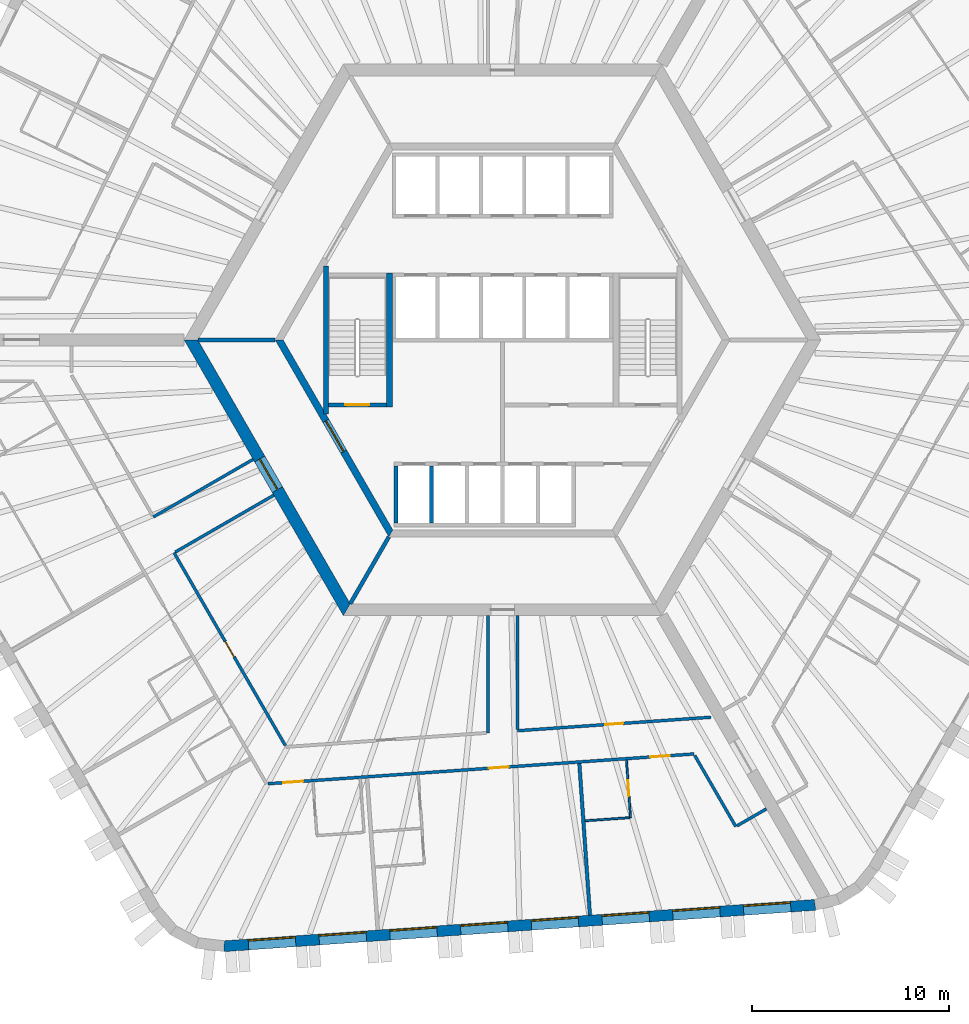
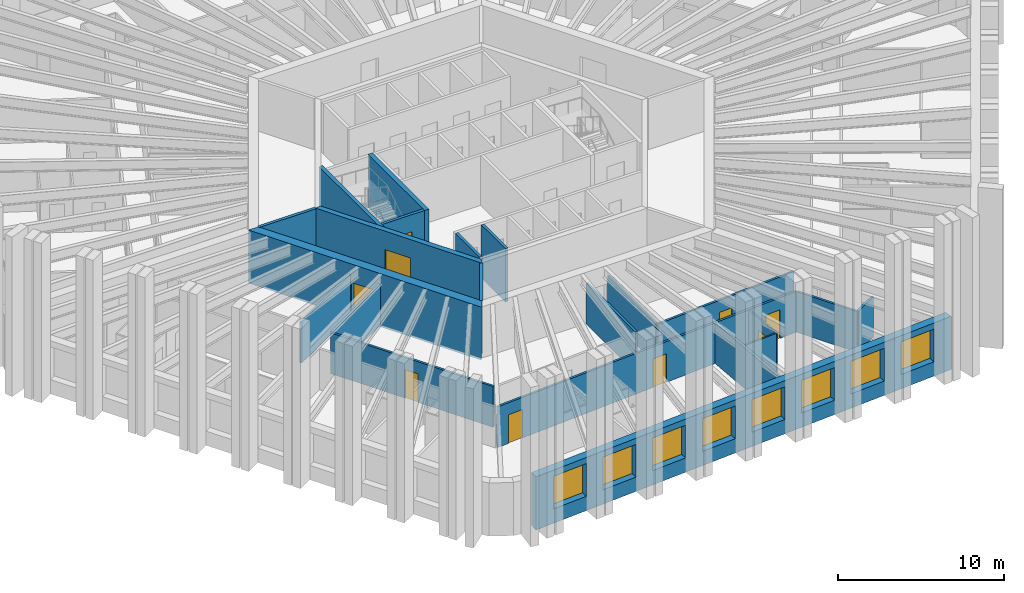
# One storey, part 4 of 13: 22 walls, 9 doors, 8 windows, 17 openings.
"""IFC4 building model written with IfcOpenShell, lengths in metres."""

from ifc_helpers import new_model, si_unit, direction, frame, frame_2d, origin, place, context, subcontext, project, spatial, polyline, rectangle, outline, extrude, material, layer, layer_set, type_object, element, fill, save


model = new_model("IFC4")

# Units and contexts
model_context = context("Model", 3, precision=1e-05, world=origin(), true_north=direction((0.0, 1.0)))
body_context = subcontext(model_context, "Body", "Model", "MODEL_VIEW")
ifc_project = project(units=[si_unit("LENGTHUNIT", "METRE"), si_unit("AREAUNIT", "SQUARE_METRE"), si_unit("VOLUMEUNIT", "CUBIC_METRE"), si_unit("PLANEANGLEUNIT", "RADIAN"), si_unit("MASSUNIT", "GRAM", prefix="KILO")], contexts=[model_context])

# Site, building, storey
site_placement = place(None, origin())
site = spatial("IfcSite", under=ifc_project, at=site_placement, CompositionType="ELEMENT")
building_placement = place(site_placement, origin())
building = spatial("IfcBuilding", under=site, at=building_placement, Name="Tarnside Tower", CompositionType="ELEMENT")
storey_placement = place(building_placement, frame((0.0, 0.0, 80.39990234375)))
storey = spatial("IfcBuildingStorey", under=building, at=storey_placement, Name="L17", CompositionType="ELEMENT", Elevation=80.39990234375)

# Wall, opening, door
ifc_material_1 = material(Name="Gypsum board partition on steel studs", Category="steel")
ifc_layer_1 = layer(ifc_material_1, 0.10009765625)
ifc_layer_set_1 = layer_set([ifc_layer_1], Name="Bathroom wall 100")
wall_type_1 = type_object("IfcWallType", Name="Bathroom wall 100", PredefinedType="PARTITIONING", material=ifc_layer_set_1)
wall_1_placement = place(storey_placement, frame((6.292724609375, -21.338134765625, 0.0), z_axis=(0.0, 0.0, 1.0), x_axis=(0.069781781132, -0.997562280272, 0.0)))
wall_1 = element("IfcWall", 1, at=wall_1_placement, inside=storey, type_object=wall_type_1, Name="Bathroom wall 05135", PredefinedType="PARTITIONING", context=body_context, shape_type="SweptSolid", body=[
    extrude(rectangle(XDim=2.9248046875, YDim=0.10009765625, at=frame_2d((1.46240234375, 0.0))), origin(), (0.0, 0.0, 1.0), 2.98779296875),
])
opening_1_placement = place(wall_1_placement, frame((1.02490234375, 0.0, 0.0)))
opening_1 = element("IfcOpeningElement", 2, at=opening_1_placement, cuts=wall_1, Name="Opening D-B1", PredefinedType="OPENING", context=body_context, shape_type="SweptSolid", body=[
    extrude(rectangle(XDim=0.800048828125, YDim=2.10009765625, at=frame_2d((0.39990234375, 1.050048828125))), frame((0.0, 0.06005859375, 0.0), z_axis=(0.0, -1.0, 0.0), x_axis=(1.0, 0.0, 0.0)), (0.0, 0.0, 1.0), 0.1201171875),
])
ifc_material_2 = material(Name="Timber door leaf", Category="wood")
door_type_1 = type_object("IfcDoorType", Name="Bathroom door 800", OperationType="NOTDEFINED", PredefinedType="DOOR", material=ifc_material_2)
door_1_placement = place(opening_1_placement, origin())
door_1 = element("IfcDoor", 3, at=door_1_placement, inside=storey, type_object=door_type_1, Name="Bathroom door 05029", OperationType="SINGLE_SWING_RIGHT", OverallHeight=2.10009765625, OverallWidth=0.800048828125, PredefinedType="DOOR", context=body_context, shape_type="SweptSolid", body=[
    extrude(rectangle(XDim=0.800048828125, YDim=2.10009765625, at=frame_2d((0.39990234375, 1.050048828125))), frame((0.0, 0.02490234375, 0.0), z_axis=(0.0, -1.0, 0.0), x_axis=(1.0, 0.0, 0.0)), (0.0, 0.0, 1.0), 0.050048828125),
])
fill(opening_1, door_1)

# Wall
wall_2_placement = place(storey_placement, frame((6.44677734375, -24.25927734375, 0.0), z_axis=(0.0, 0.0, 1.0), x_axis=(-0.997561825928, -0.069788275888, 0.0)))
element("IfcWall", 4, at=wall_2_placement, inside=storey, type_object=wall_type_1, Name="Bathroom wall 05136", PredefinedType="PARTITIONING", context=body_context, shape_type="SweptSolid", body=[
    extrude(rectangle(XDim=2.260009765625, YDim=0.10009765625, at=frame_2d((1.1298828125, 0.0))), origin(), (0.0, 0.0, 1.0), 2.98779296875),
])

# Wall, opening, door
ifc_material_3 = material(Name="Concrete C50/60", Category="concrete")
ifc_layer_2 = layer(ifc_material_3, 0.35009765625)
ifc_layer_set_2 = layer_set([ifc_layer_2], Name="Core block wall 350 C50/60")
wall_type_2 = type_object("IfcWallType", Name="Core block wall 350 C50/60", PredefinedType="SHEAR", material=ifc_layer_set_2)
wall_3_placement = place(storey_placement, frame((-11.344970703125, 0.0, -0.14990234375), z_axis=(0.0, 0.0, 1.0), x_axis=(0.499995046907, -0.866028263435, 0.0)))
wall_3 = element("IfcWall", 5, at=wall_3_placement, inside=storey, type_object=wall_type_2, Name="L17 core block wall face 3", PredefinedType="SHEAR", context=body_context, shape_type="SweptSolid", body=[
    extrude(outline(polyline([(-0.10107421875, -0.175048828125), (11.44580078125, -0.175048828125), (11.24365234375, 0.175048828125), (0.10107421875, 0.175048828125), (-0.10107421875, -0.175048828125)])), origin(), (0.0, 0.0, 1.0), 3.89990234375),
])
opening_2_placement = place(wall_3_placement, frame((4.74365234375, 0.0, 0.14990234375)))
opening_2 = element("IfcOpeningElement", 6, at=opening_2_placement, cuts=wall_3, Name="Opening CD-FFL", PredefinedType="OPENING", context=body_context, shape_type="SweptSolid", body=[
    extrude(rectangle(XDim=1.800048828125, YDim=2.39990234375, at=frame_2d((0.89990234375, 1.199951171875))), frame((0.0, 0.18505859375, 0.0), z_axis=(0.0, -1.0, 0.0), x_axis=(1.0, 0.0, 0.0)), (0.0, 0.0, 1.0), 0.3701171875),
])
ifc_material_4 = material(Name="Steel fire door", Category="steel")
door_type_2 = type_object("IfcDoorType", Name="Firefighting lobby double door FD60S 1800x2400", OperationType="NOTDEFINED", PredefinedType="DOOR", material=ifc_material_4)
door_2_placement = place(opening_2_placement, origin())
door_2 = element("IfcDoor", 7, at=door_2_placement, inside=storey, type_object=door_type_2, Name="L17 lobby block door P3", OperationType="DOUBLE_DOOR_SINGLE_SWING", OverallHeight=2.39990234375, OverallWidth=1.800048828125, PredefinedType="DOOR", context=body_context, shape_type="SweptSolid", body=[
    extrude(rectangle(XDim=1.800048828125, YDim=2.39990234375, at=frame_2d((0.89990234375, 1.199951171875))), frame((0.0, 0.02490234375, 0.0), z_axis=(0.0, -1.0, 0.0), x_axis=(1.0, 0.0, 0.0)), (0.0, 0.0, 1.0), 0.050048828125),
])
fill(opening_2, door_2)

ifc_material_5 = material(Name="Concrete C80/95", Category="concrete")
ifc_layer_3 = layer(ifc_material_5, 0.60009765625)
ifc_layer_set_3 = layer_set([ifc_layer_3], Name="Core wall Z1 600 C80/95")
wall_type_3 = type_object("IfcWallType", Name="Core wall Z1 600 C80/95", PredefinedType="SHEAR", material=ifc_layer_set_3)
wall_4_placement = place(storey_placement, frame((-15.8193359375, 0.0, -0.14990234375), z_axis=(0.0, 0.0, 1.0), x_axis=(0.499999880136, -0.866025472988, 0.0)))
wall_4 = element("IfcWall", 8, at=wall_4_placement, inside=storey, type_object=wall_type_3, Name="L17 core wall face 3", PredefinedType="SHEAR", context=body_context, shape_type="SweptSolid", body=[
    extrude(outline(polyline([(-0.17333984375, -0.300048828125), (15.99267578125, -0.300048828125), (15.64599609375, 0.300048828125), (0.17333984375, 0.300048828125), (-0.17333984375, -0.300048828125)])), origin(), (0.0, 0.0, 1.0), 3.89990234375),
])
opening_3_placement = place(wall_4_placement, frame((6.980712890625, 0.0, 0.14990234375)))
opening_3 = element("IfcOpeningElement", 9, at=opening_3_placement, cuts=wall_4, Name="Opening CD-FFL", PredefinedType="OPENING", context=body_context, shape_type="SweptSolid", body=[
    extrude(rectangle(XDim=1.800048828125, YDim=2.39990234375, at=frame_2d((0.89990234375, 1.199951171875))), frame((0.0, 0.31005859375, 0.0), z_axis=(0.0, -1.0, 0.0), x_axis=(1.0, 0.0, 0.0)), (0.0, 0.0, 1.0), 0.6201171875),
])
door_3_placement = place(opening_3_placement, origin())
door_3 = element("IfcDoor", 10, at=door_3_placement, inside=storey, type_object=door_type_2, Name="L17 core door P3", OperationType="DOUBLE_DOOR_SINGLE_SWING", OverallHeight=2.39990234375, OverallWidth=1.800048828125, PredefinedType="DOOR", context=body_context, shape_type="SweptSolid", body=[
    extrude(rectangle(XDim=1.800048828125, YDim=2.39990234375, at=frame_2d((0.89990234375, 1.199951171875))), frame((0.0, 0.02490234375, 0.0), z_axis=(0.0, -1.0, 0.0), x_axis=(1.0, 0.0, 0.0)), (0.0, 0.0, 1.0), 0.050048828125),
])
fill(opening_3, door_3)

# Wall, openings, doors
ifc_layer_4 = layer(ifc_material_1, 0.14990234375)
ifc_layer_set_4 = layer_set([ifc_layer_4], Name="Corridor wall 150 EI 60")
wall_type_4 = type_object("IfcWallType", Name="Corridor wall 150 EI 60", PredefinedType="PARTITIONING", material=ifc_layer_set_4)
wall_5_placement = place(storey_placement, frame((-11.902099609375, -22.53515625, 0.0), z_axis=(0.0, 0.0, 1.0), x_axis=(0.997564081796, 0.069756022752, 0.0)))
wall_5 = element("IfcWall", 11, at=wall_5_placement, inside=storey, type_object=wall_type_4, Name="Corridor wall 05036", PredefinedType="PARTITIONING", context=body_context, shape_type="SweptSolid", body=[
    extrude(rectangle(XDim=21.66796875, YDim=0.14990234375, at=frame_2d((10.833984375, 0.0))), origin(), (0.0, 0.0, 1.0), 2.98779296875),
])
opening_4_placement = place(wall_5_placement, frame((0.775146484375, 0.0, 0.0)))
opening_4 = element("IfcOpeningElement", 12, at=opening_4_placement, cuts=wall_5, Name="Opening D-E1", PredefinedType="OPENING", context=body_context, shape_type="SweptSolid", body=[
    extrude(rectangle(XDim=1.0, YDim=2.10009765625, at=frame_2d((0.5, 1.050048828125))), frame((0.0, 0.0849609375, 0.0), z_axis=(0.0, -1.0, 0.0), x_axis=(1.0, 0.0, 0.0)), (0.0, 0.0, 1.0), 0.169921875),
])
opening_5_placement = place(wall_5_placement, frame((11.23388671875, 0.0, 0.0)))
opening_5 = element("IfcOpeningElement", 13, at=opening_5_placement, cuts=wall_5, Name="Opening D-E1", PredefinedType="OPENING", context=body_context, shape_type="SweptSolid", body=[
    extrude(rectangle(XDim=1.0, YDim=2.10009765625, at=frame_2d((0.5, 1.050048828125))), frame((0.0, 0.0849609375, 0.0), z_axis=(0.0, -1.0, 0.0), x_axis=(1.0, 0.0, 0.0)), (0.0, 0.0, 1.0), 0.169921875),
])
opening_6_placement = place(wall_5_placement, frame((19.450927734375, 0.0, 0.0)))
opening_6 = element("IfcOpeningElement", 14, at=opening_6_placement, cuts=wall_5, Name="Opening D-E1", PredefinedType="OPENING", context=body_context, shape_type="SweptSolid", body=[
    extrude(rectangle(XDim=1.0, YDim=2.10009765625, at=frame_2d((0.5, 1.050048828125))), frame((0.0, 0.0849609375, 0.0), z_axis=(0.0, -1.0, 0.0), x_axis=(1.0, 0.0, 0.0)), (0.0, 0.0, 1.0), 0.169921875),
])
door_type_3 = type_object("IfcDoorType", Name="Unit entrance door 1000 FD30S", OperationType="NOTDEFINED", PredefinedType="DOOR", material=ifc_material_2)
door_4_placement = place(opening_4_placement, origin())
door_4 = element("IfcDoor", 15, at=door_4_placement, inside=storey, type_object=door_type_3, Name="Unit door 05023", OperationType="SINGLE_SWING_RIGHT", OverallHeight=2.10009765625, OverallWidth=1.0, PredefinedType="DOOR", context=body_context, shape_type="SweptSolid", body=[
    extrude(rectangle(XDim=1.0, YDim=2.10009765625, at=frame_2d((0.5, 1.050048828125))), frame((0.0, 0.02490234375, 0.0), z_axis=(0.0, -1.0, 0.0), x_axis=(1.0, 0.0, 0.0)), (0.0, 0.0, 1.0), 0.050048828125),
])
fill(opening_4, door_4)
door_5_placement = place(opening_5_placement, origin())
door_5 = element("IfcDoor", 16, at=door_5_placement, inside=storey, type_object=door_type_3, Name="Unit door 05025", OperationType="SINGLE_SWING_LEFT", OverallHeight=2.10009765625, OverallWidth=1.0, PredefinedType="DOOR", context=body_context, shape_type="SweptSolid", body=[
    extrude(rectangle(XDim=1.0, YDim=2.10009765625, at=frame_2d((0.5, 1.050048828125))), frame((0.0, 0.02490234375, 0.0), z_axis=(0.0, -1.0, 0.0), x_axis=(1.0, 0.0, 0.0)), (0.0, 0.0, 1.0), 0.050048828125),
])
fill(opening_5, door_5)
door_6_placement = place(opening_6_placement, origin())
door_6 = element("IfcDoor", 17, at=door_6_placement, inside=storey, type_object=door_type_3, Name="Unit door 05028", OperationType="SINGLE_SWING_LEFT", OverallHeight=2.10009765625, OverallWidth=1.0, PredefinedType="DOOR", context=body_context, shape_type="SweptSolid", body=[
    extrude(rectangle(XDim=1.0, YDim=2.10009765625, at=frame_2d((0.5, 1.050048828125))), frame((0.0, 0.02490234375, 0.0), z_axis=(0.0, -1.0, 0.0), x_axis=(1.0, 0.0, 0.0)), (0.0, 0.0, 1.0), 0.050048828125),
])
fill(opening_6, door_6)

# Walls
wall_6_placement = place(storey_placement, frame((9.7548828125, -21.095947265625, 0.0), z_axis=(0.0, 0.0, 1.0), x_axis=(0.499995902753, -0.866027769318, 0.0)))
element("IfcWall", 18, at=wall_6_placement, inside=storey, type_object=wall_type_4, Name="Corridor wall 05042", PredefinedType="PARTITIONING", context=body_context, shape_type="SweptSolid", body=[
    extrude(rectangle(XDim=4.17333984375, YDim=0.14990234375, at=frame_2d((2.086669921875, 0.0))), origin(), (0.0, 0.0, 1.0), 2.98779296875),
])
wall_7_placement = place(storey_placement, frame((11.906494140625, -24.672607421875, 0.0), z_axis=(0.0, 0.0, 1.0), x_axis=(0.866013532718, 0.500020560727, 0.0)))
element("IfcWall", 19, at=wall_7_placement, inside=storey, type_object=wall_type_4, Name="Corridor wall 05043", PredefinedType="PARTITIONING", context=body_context, shape_type="SweptSolid", body=[
    extrude(rectangle(XDim=1.72509765625, YDim=0.14990234375, at=frame_2d((0.862548828125, 0.0))), origin(), (0.0, 0.0, 1.0), 2.98779296875),
])
wall_8_placement = place(storey_placement, frame((-12.663818359375, -6.065673828125, 0.0), z_axis=(0.0, 0.0, 1.0), x_axis=(-0.866018092707, -0.500012662943, 0.0)))
element("IfcWall", 20, at=wall_8_placement, inside=storey, type_object=wall_type_4, Name="Corridor wall 05045", PredefinedType="PARTITIONING", context=body_context, shape_type="SweptSolid", body=[
    extrude(rectangle(XDim=5.849853515625, YDim=0.14990234375, at=frame_2d((2.9248046875, 0.0))), origin(), (0.0, 0.0, 1.0), 2.98779296875),
])
wall_9_placement = place(storey_placement, frame((-0.75, -14.0, 0.0), z_axis=(0.0, 0.0, 1.0), x_axis=(0.0, -1.0, 0.0)))
element("IfcWall", 21, at=wall_9_placement, inside=storey, type_object=wall_type_4, Name="Corridor wall 05048", PredefinedType="PARTITIONING", context=body_context, shape_type="SweptSolid", body=[
    extrude(rectangle(XDim=5.950927734375, YDim=0.14990234375, at=frame_2d((2.9755859375, 0.0))), origin(), (0.0, 0.0, 1.0), 2.98779296875),
])

# Wall, opening, door
wall_10_placement = place(storey_placement, frame((-11.030517578125, -20.5947265625, 0.0), z_axis=(0.0, 0.0, 1.0), x_axis=(-0.499987422378, 0.866032665356, 0.0)))
wall_10 = element("IfcWall", 22, at=wall_10_placement, inside=storey, type_object=wall_type_4, Name="Corridor wall 05051", PredefinedType="PARTITIONING", context=body_context, shape_type="SweptSolid", body=[
    extrude(rectangle(XDim=11.299072265625, YDim=0.14990234375, at=frame_2d((5.6494140625, 0.0))), origin(), (0.0, 0.0, 1.0), 2.98779296875),
])
opening_7_placement = place(wall_10_placement, frame((5.199462890625, 0.0, 0.0)))
opening_7 = element("IfcOpeningElement", 23, at=opening_7_placement, cuts=wall_10, Name="Opening D-S1", PredefinedType="OPENING", context=body_context, shape_type="SweptSolid", body=[
    extrude(rectangle(XDim=0.89990234375, YDim=2.10009765625, at=frame_2d((0.449951171875, 1.050048828125))), frame((0.0, 0.0849609375, 0.0), z_axis=(0.0, -1.0, 0.0), x_axis=(1.0, 0.0, 0.0)), (0.0, 0.0, 1.0), 0.169921875),
])
door_type_4 = type_object("IfcDoorType", Name="Service room door 900 FD30S", OperationType="NOTDEFINED", PredefinedType="DOOR", material=ifc_material_2)
door_7_placement = place(opening_7_placement, origin())
door_7 = element("IfcDoor", 24, at=door_7_placement, inside=storey, type_object=door_type_4, Name="Service door 05047", OperationType="SINGLE_SWING_RIGHT", OverallHeight=2.10009765625, OverallWidth=0.89990234375, PredefinedType="DOOR", context=body_context, shape_type="SweptSolid", body=[
    extrude(rectangle(XDim=0.89990234375, YDim=2.10009765625, at=frame_2d((0.449951171875, 1.050048828125))), frame((0.0, 0.02490234375, 0.0), z_axis=(0.0, -1.0, 0.0), x_axis=(1.0, 0.0, 0.0)), (0.0, 0.0, 1.0), 0.050048828125),
])
fill(opening_7, door_7)

# Wall
wall_11_placement = place(storey_placement, frame((-16.614990234375, -10.771728515625, 0.0), z_axis=(0.0, 0.0, 1.0), x_axis=(0.866025774745, 0.499999357477, 0.0)))
element("IfcWall", 25, at=wall_11_placement, inside=storey, type_object=wall_type_4, Name="Corridor wall 05052", PredefinedType="PARTITIONING", context=body_context, shape_type="SweptSolid", body=[
    extrude(rectangle(XDim=5.77490234375, YDim=0.14990234375, at=frame_2d((2.887451171875, 0.0))), origin(), (0.0, 0.0, 1.0), 2.98779296875),
])

# Wall, opening, door
wall_12_placement = place(storey_placement, frame((10.58740234375, -19.158203125, 0.0), z_axis=(0.0, 0.0, 1.0), x_axis=(-0.997565137136, -0.069740928955, 0.0)))
wall_12 = element("IfcWall", 26, at=wall_12_placement, inside=storey, type_object=wall_type_4, Name="Corridor wall 05053", PredefinedType="PARTITIONING", context=body_context, shape_type="SweptSolid", body=[
    extrude(rectangle(XDim=9.861328125, YDim=0.14990234375, at=frame_2d((4.9306640625, 0.0))), origin(), (0.0, 0.0, 1.0), 2.98779296875),
])
opening_8_placement = place(wall_12_placement, frame((4.480712890625, 0.0, 0.0)))
opening_8 = element("IfcOpeningElement", 27, at=opening_8_placement, cuts=wall_12, Name="Opening D-S1", PredefinedType="OPENING", context=body_context, shape_type="SweptSolid", body=[
    extrude(rectangle(XDim=0.89990234375, YDim=2.10009765625, at=frame_2d((0.449951171875, 1.050048828125))), frame((0.0, 0.0849609375, 0.0), z_axis=(0.0, -1.0, 0.0), x_axis=(1.0, 0.0, 0.0)), (0.0, 0.0, 1.0), 0.169921875),
])
door_8_placement = place(opening_8_placement, origin())
door_8 = element("IfcDoor", 28, at=door_8_placement, inside=storey, type_object=door_type_4, Name="Service door 05048", OperationType="SINGLE_SWING_RIGHT", OverallHeight=2.10009765625, OverallWidth=0.89990234375, PredefinedType="DOOR", context=body_context, shape_type="SweptSolid", body=[
    extrude(rectangle(XDim=0.89990234375, YDim=2.10009765625, at=frame_2d((0.449951171875, 1.050048828125))), frame((0.0, 0.02490234375, 0.0), z_axis=(0.0, -1.0, 0.0), x_axis=(1.0, 0.0, 0.0)), (0.0, 0.0, 1.0), 0.050048828125),
])
fill(opening_8, door_8)

# Walls
wall_13_placement = place(storey_placement, frame((0.75, -19.770751953125, 0.0), z_axis=(0.0, 0.0, 1.0), x_axis=(0.0, 1.0, 0.0)))
element("IfcWall", 29, at=wall_13_placement, inside=storey, type_object=wall_type_4, Name="Corridor wall 05054", PredefinedType="PARTITIONING", context=body_context, shape_type="SweptSolid", body=[
    extrude(rectangle(XDim=5.770751953125, YDim=0.14990234375, at=frame_2d((2.88525390625, 0.0))), origin(), (0.0, 0.0, 1.0), 2.98779296875),
])
ifc_layer_5 = layer(ifc_material_1, 0.179931640625)
ifc_layer_set_5 = layer_set([ifc_layer_5], Name="Demising wall 180 EI 60")
wall_type_5 = type_object("IfcWallType", Name="Demising wall 180 EI 60", PredefinedType="PARTITIONING", material=ifc_layer_set_5)
wall_14_placement = place(storey_placement, frame((4.4375, -29.211669921875, 0.0), z_axis=(0.0, 0.0, 1.0), x_axis=(-0.069780381152, 0.997562378203, 0.0)))
element("IfcWall", 30, at=wall_14_placement, inside=storey, type_object=wall_type_5, Name="Demising wall 05132", PredefinedType="PARTITIONING", context=body_context, shape_type="SweptSolid", body=[
    extrude(rectangle(XDim=7.72509765625, YDim=0.179931640625, at=frame_2d((3.862548828125, 0.0))), origin(), (0.0, 0.0, 1.0), 2.98779296875),
])
ifc_material_6 = material(Name="Concrete C40/50", Category="concrete")
ifc_layer_6 = layer(ifc_material_6, 0.199951171875)
ifc_layer_set_6 = layer_set([ifc_layer_6], Name="Lift shaft wall 200 C40/50")
wall_type_6 = type_object("IfcWallType", Name="Lift shaft wall 200 C40/50", PredefinedType="SHEAR", material=ifc_layer_set_6)
for number, where, z_axis, x_axis, name in (
    (31, (-5.39990234375, -9.300048828125, -0.25), (0.0, 0.0, 1.0), (0.0, 1.0, 0.0), "L17 lift shaft partition R41"),
    (32, (-3.60009765625, -9.300048828125, -0.25), (0.0, 0.0, 1.0), (0.0, 1.0, 0.0), "L17 lift shaft partition R42"),
):
    element("IfcWall", number, at=place(storey_placement, frame(where, z_axis=z_axis, x_axis=x_axis)), inside=storey, type_object=wall_type_6, Name=name, PredefinedType="SHEAR", context=body_context, shape_type="SweptSolid", body=[
        extrude(rectangle(XDim=2.900146484375, YDim=0.199951171875, at=frame_2d((1.4501953125, 0.0))), origin(), (0.0, 0.0, 1.0), 3.900146484375),
    ])
wall_15_placement = place(storey_placement, frame((-11.547119140625, 0.0, -0.14990234375), z_axis=(0.0, 0.0, 1.0), x_axis=(-1.0, 0.0, 0.0)))
element("IfcWall", 33, at=wall_15_placement, inside=storey, type_object=wall_type_6, Name="L17 core partition AR180", PredefinedType="SHEAR", context=body_context, shape_type="SweptSolid", body=[
    extrude(rectangle(XDim=3.92578125, YDim=0.199951171875, at=frame_2d((1.962890625, 0.0))), origin(), (0.0, 0.0, 1.0), 3.89990234375),
])
wall_16_placement = place(storey_placement, frame((-5.7734375, -10.0, -0.14990234375), z_axis=(0.0, 0.0, 1.0), x_axis=(-0.500038251005, -0.86600331843, 0.0)))
element("IfcWall", 34, at=wall_16_placement, inside=storey, type_object=wall_type_6, Name="L17 core partition AR240", PredefinedType="SHEAR", context=body_context, shape_type="SweptSolid", body=[
    extrude(rectangle(XDim=3.926025390625, YDim=0.199951171875, at=frame_2d((1.962890625, 0.0))), origin(), (0.0, 0.0, 1.0), 3.89990234375),
])

# Wall, opening, door
wall_17_placement = place(storey_placement, frame((-8.85009765625, -3.300048828125, -0.25), z_axis=(0.0, 0.0, 1.0), x_axis=(1.0, 0.0, 0.0)))
wall_17 = element("IfcWall", 35, at=wall_17_placement, inside=storey, type_object=wall_type_6, Name="L17 stair 2 enclosure cap wall s", PredefinedType="SHEAR", context=body_context, shape_type="SweptSolid", body=[
    extrude(rectangle(XDim=2.9501953125, YDim=0.199951171875, at=frame_2d((1.47509765625, 0.0))), origin(), (0.0, 0.0, 1.0), 3.900146484375),
])
opening_9_placement = place(wall_17_placement, frame((0.875, 0.0, 0.25)))
opening_9 = element("IfcOpeningElement", 36, at=opening_9_placement, cuts=wall_17, Name="Opening CD-STR", PredefinedType="OPENING", context=body_context, shape_type="SweptSolid", body=[
    extrude(rectangle(XDim=1.199951171875, YDim=2.39990234375, at=frame_2d((0.60009765625, 1.199951171875))), frame((0.0, 0.10986328125, 0.0), z_axis=(0.0, -1.0, 0.0), x_axis=(1.0, 0.0, 0.0)), (0.0, 0.0, 1.0), 0.219970703125),
])
door_type_5 = type_object("IfcDoorType", Name="Stair door FD60S 1200x2400", OperationType="NOTDEFINED", PredefinedType="DOOR", material=ifc_material_4)
door_9_placement = place(opening_9_placement, origin())
door_9 = element("IfcDoor", 37, at=door_9_placement, inside=storey, type_object=door_type_5, Name="L17 stair 2 door", OperationType="SINGLE_SWING_LEFT", OverallHeight=2.39990234375, OverallWidth=1.199951171875, PredefinedType="DOOR", context=body_context, shape_type="SweptSolid", body=[
    extrude(rectangle(XDim=1.199951171875, YDim=2.39990234375, at=frame_2d((0.60009765625, 1.199951171875))), frame((0.0, 0.02490234375, 0.0), z_axis=(0.0, -1.0, 0.0), x_axis=(1.0, 0.0, 0.0)), (0.0, 0.0, 1.0), 0.050048828125),
])
fill(opening_9, door_9)

# Walls
ifc_layer_7 = layer(ifc_material_6, 0.25)
ifc_layer_set_7 = layer_set([ifc_layer_7], Name="Stair enclosure wall 250 C40/50")
wall_type_7 = type_object("IfcWallType", Name="Stair enclosure wall 250 C40/50", PredefinedType="SHEAR", material=ifc_layer_set_7)
wall_18_placement = place(storey_placement, frame((-8.97509765625, -3.7548828125, -0.25), z_axis=(0.0, 0.0, 1.0), x_axis=(0.0, 1.0, 0.0)))
element("IfcWall", 38, at=wall_18_placement, inside=storey, type_object=wall_type_7, Name="L17 stair 2 enclosure wall outer", PredefinedType="SHEAR", context=body_context, shape_type="SweptSolid", body=[
    extrude(rectangle(XDim=7.509765625, YDim=0.25, at=frame_2d((3.7548828125, 0.0))), origin(), (0.0, 0.0, 1.0), 3.900146484375),
])
ifc_layer_8 = layer(ifc_material_6, 0.300048828125)
ifc_layer_set_8 = layer_set([ifc_layer_8], Name="Stair enclosure wall 300 C40/50")
wall_type_8 = type_object("IfcWallType", Name="Stair enclosure wall 300 C40/50", PredefinedType="SHEAR", material=ifc_layer_set_8)
wall_19_placement = place(storey_placement, frame((-5.75, -3.39990234375, -0.25), z_axis=(0.0, 0.0, 1.0), x_axis=(0.0, 1.0, 0.0)))
element("IfcWall", 39, at=wall_19_placement, inside=storey, type_object=wall_type_8, Name="L17 stair 2 enclosure wall inner", PredefinedType="SHEAR", context=body_context, shape_type="SweptSolid", body=[
    extrude(rectangle(XDim=6.7998046875, YDim=0.300048828125, at=frame_2d((3.39990234375, 0.0))), origin(), (0.0, 0.0, 1.0), 3.900146484375),
])

# Wall, openings, windows
ifc_material_7 = material(Name="Facing brick", Category="masonry")
ifc_layer_9 = layer(ifc_material_7, 0.10205078125)
ifc_material_8 = material(Name="Concrete C60/75 precast", Category="concrete")
ifc_layer_10 = layer(ifc_material_8, 0.347900390625)
ifc_material_9 = material(Name="Mineral wool insulation")
ifc_layer_11 = layer(ifc_material_9, 0.10009765625)
ifc_layer_set_9 = layer_set([ifc_layer_9, ifc_layer_10, ifc_layer_11], Name="Tube wall 550 brick faced")
wall_type_9 = type_object("IfcWallType", Name="Tube wall 550 brick faced", PredefinedType="SOLIDWALL", material=ifc_layer_set_9)
wall_20_placement = place(storey_placement, frame((-14.133544921875, -30.785888671875, -0.14990234375), z_axis=(0.0, 0.0, 1.0), x_axis=(0.997564037441, 0.069756657061, 0.0)))
wall_20 = element("IfcWall", 40, at=wall_20_placement, inside=storey, type_object=wall_type_9, Name="Tube wall L17 F4 flush 12", PredefinedType="SOLIDWALL", context=body_context, shape_type="SweptSolid", body=[
    extrude(outline(polyline([(-0.025634765625, -0.27490234375), (30.093505859375, -0.27490234375), (30.048583984375, 0.27490234375), (0.025634765625, 0.27490234375), (-0.025634765625, -0.27490234375)])), origin(), (0.0, 0.0, 1.0), 3.89990234375),
])
opening_10_placement = place(wall_20_placement, frame((1.235595703125, 0.0, 1.050048828125)))
opening_10 = element("IfcOpeningElement", 41, at=opening_10_placement, cuts=wall_20, Name="Opening WH", PredefinedType="OPENING", context=body_context, shape_type="SweptSolid", body=[
    extrude(rectangle(XDim=2.39990234375, YDim=2.39990234375, at=frame_2d((1.199951171875, 1.199951171875))), frame((0.0, 0.28515625, 0.0), z_axis=(0.0, -1.0, 0.0), x_axis=(1.0, 0.0, 0.0)), (0.0, 0.0, 1.0), 0.570068359375),
])
opening_11_placement = place(wall_20_placement, frame((4.83544921875, 0.0, 1.050048828125)))
opening_11 = element("IfcOpeningElement", 42, at=opening_11_placement, cuts=wall_20, Name="Opening WH", PredefinedType="OPENING", context=body_context, shape_type="SweptSolid", body=[
    extrude(rectangle(XDim=2.39990234375, YDim=2.39990234375, at=frame_2d((1.199951171875, 1.199951171875))), frame((0.0, 0.28515625, 0.0), z_axis=(0.0, -1.0, 0.0), x_axis=(1.0, 0.0, 0.0)), (0.0, 0.0, 1.0), 0.570068359375),
])
opening_12_placement = place(wall_20_placement, frame((8.435546875, 0.0, 1.050048828125)))
opening_12 = element("IfcOpeningElement", 43, at=opening_12_placement, cuts=wall_20, Name="Opening WH", PredefinedType="OPENING", context=body_context, shape_type="SweptSolid", body=[
    extrude(rectangle(XDim=2.39990234375, YDim=2.39990234375, at=frame_2d((1.199951171875, 1.199951171875))), frame((0.0, 0.28515625, 0.0), z_axis=(0.0, -1.0, 0.0), x_axis=(1.0, 0.0, 0.0)), (0.0, 0.0, 1.0), 0.570068359375),
])
opening_13_placement = place(wall_20_placement, frame((12.035400390625, 0.0, 1.050048828125)))
opening_13 = element("IfcOpeningElement", 44, at=opening_13_placement, cuts=wall_20, Name="Opening WH", PredefinedType="OPENING", context=body_context, shape_type="SweptSolid", body=[
    extrude(rectangle(XDim=2.39990234375, YDim=2.39990234375, at=frame_2d((1.199951171875, 1.199951171875))), frame((0.0, 0.28515625, 0.0), z_axis=(0.0, -1.0, 0.0), x_axis=(1.0, 0.0, 0.0)), (0.0, 0.0, 1.0), 0.570068359375),
])
opening_14_placement = place(wall_20_placement, frame((15.635498046875, 0.0, 1.050048828125)))
opening_14 = element("IfcOpeningElement", 45, at=opening_14_placement, cuts=wall_20, Name="Opening WH", PredefinedType="OPENING", context=body_context, shape_type="SweptSolid", body=[
    extrude(rectangle(XDim=2.39990234375, YDim=2.39990234375, at=frame_2d((1.199951171875, 1.199951171875))), frame((0.0, 0.28515625, 0.0), z_axis=(0.0, -1.0, 0.0), x_axis=(1.0, 0.0, 0.0)), (0.0, 0.0, 1.0), 0.570068359375),
])
opening_15_placement = place(wall_20_placement, frame((19.235595703125, 0.0, 1.050048828125)))
opening_15 = element("IfcOpeningElement", 46, at=opening_15_placement, cuts=wall_20, Name="Opening WH", PredefinedType="OPENING", context=body_context, shape_type="SweptSolid", body=[
    extrude(rectangle(XDim=2.39990234375, YDim=2.39990234375, at=frame_2d((1.199951171875, 1.199951171875))), frame((0.0, 0.28515625, 0.0), z_axis=(0.0, -1.0, 0.0), x_axis=(1.0, 0.0, 0.0)), (0.0, 0.0, 1.0), 0.570068359375),
])
opening_16_placement = place(wall_20_placement, frame((22.83544921875, 0.0, 1.050048828125)))
opening_16 = element("IfcOpeningElement", 47, at=opening_16_placement, cuts=wall_20, Name="Opening WH", PredefinedType="OPENING", context=body_context, shape_type="SweptSolid", body=[
    extrude(rectangle(XDim=2.39990234375, YDim=2.39990234375, at=frame_2d((1.199951171875, 1.199951171875))), frame((0.0, 0.28515625, 0.0), z_axis=(0.0, -1.0, 0.0), x_axis=(1.0, 0.0, 0.0)), (0.0, 0.0, 1.0), 0.570068359375),
])
opening_17_placement = place(wall_20_placement, frame((26.435546875, 0.0, 1.050048828125)))
opening_17 = element("IfcOpeningElement", 48, at=opening_17_placement, cuts=wall_20, Name="Opening WH", PredefinedType="OPENING", context=body_context, shape_type="SweptSolid", body=[
    extrude(rectangle(XDim=2.39990234375, YDim=2.39990234375, at=frame_2d((1.199951171875, 1.199951171875))), frame((0.0, 0.28515625, 0.0), z_axis=(0.0, -1.0, 0.0), x_axis=(1.0, 0.0, 0.0)), (0.0, 0.0, 1.0), 0.570068359375),
])
ifc_material_10 = material(Name="Aluminium-framed double glazing", Category="aluminium")
window_type = type_object("IfcWindowType", Name="Hotel window 2400 x 2400", PartitioningType="DOUBLE_PANEL_VERTICAL", PredefinedType="WINDOW", material=ifc_material_10)
window_1_placement = place(opening_10_placement, frame((0.0, 0.205078125, 0.0)))
window_1 = element("IfcWindow", 49, at=window_1_placement, inside=storey, type_object=window_type, Name="E.WN.L17.F4.00", OverallHeight=2.39990234375, OverallWidth=2.39990234375, PartitioningType="DOUBLE_PANEL_VERTICAL", PredefinedType="WINDOW", context=body_context, shape_type="SweptSolid", body=[
    extrude(rectangle(XDim=2.39990234375, YDim=2.39990234375, at=frame_2d((1.199951171875, 1.199951171875))), frame((0.0, 0.030029296875, 0.0), z_axis=(0.0, -1.0, 0.0), x_axis=(1.0, 0.0, 0.0)), (0.0, 0.0, 1.0), 0.06005859375),
])
fill(opening_10, window_1)
window_2_placement = place(opening_11_placement, frame((0.0, 0.205078125, 0.0)))
window_2 = element("IfcWindow", 50, at=window_2_placement, inside=storey, type_object=window_type, Name="E.WN.L17.F4.01", OverallHeight=2.39990234375, OverallWidth=2.39990234375, PartitioningType="DOUBLE_PANEL_VERTICAL", PredefinedType="WINDOW", context=body_context, shape_type="SweptSolid", body=[
    extrude(rectangle(XDim=2.39990234375, YDim=2.39990234375, at=frame_2d((1.199951171875, 1.199951171875))), frame((0.0, 0.030029296875, 0.0), z_axis=(0.0, -1.0, 0.0), x_axis=(1.0, 0.0, 0.0)), (0.0, 0.0, 1.0), 0.06005859375),
])
fill(opening_11, window_2)
window_3_placement = place(opening_12_placement, frame((0.0, 0.205078125, 0.0)))
window_3 = element("IfcWindow", 51, at=window_3_placement, inside=storey, type_object=window_type, Name="E.WN.L17.F4.02", OverallHeight=2.39990234375, OverallWidth=2.39990234375, PartitioningType="DOUBLE_PANEL_VERTICAL", PredefinedType="WINDOW", context=body_context, shape_type="SweptSolid", body=[
    extrude(rectangle(XDim=2.39990234375, YDim=2.39990234375, at=frame_2d((1.199951171875, 1.199951171875))), frame((0.0, 0.030029296875, 0.0), z_axis=(0.0, -1.0, 0.0), x_axis=(1.0, 0.0, 0.0)), (0.0, 0.0, 1.0), 0.06005859375),
])
fill(opening_12, window_3)
window_4_placement = place(opening_13_placement, frame((0.0, 0.205078125, 0.0)))
window_4 = element("IfcWindow", 52, at=window_4_placement, inside=storey, type_object=window_type, Name="E.WN.L17.F4.03", OverallHeight=2.39990234375, OverallWidth=2.39990234375, PartitioningType="DOUBLE_PANEL_VERTICAL", PredefinedType="WINDOW", context=body_context, shape_type="SweptSolid", body=[
    extrude(rectangle(XDim=2.39990234375, YDim=2.39990234375, at=frame_2d((1.199951171875, 1.199951171875))), frame((0.0, 0.030029296875, 0.0), z_axis=(0.0, -1.0, 0.0), x_axis=(1.0, 0.0, 0.0)), (0.0, 0.0, 1.0), 0.06005859375),
])
fill(opening_13, window_4)
window_5_placement = place(opening_14_placement, frame((0.0, 0.205078125, 0.0)))
window_5 = element("IfcWindow", 53, at=window_5_placement, inside=storey, type_object=window_type, Name="E.WN.L17.F4.04", OverallHeight=2.39990234375, OverallWidth=2.39990234375, PartitioningType="DOUBLE_PANEL_VERTICAL", PredefinedType="WINDOW", context=body_context, shape_type="SweptSolid", body=[
    extrude(rectangle(XDim=2.39990234375, YDim=2.39990234375, at=frame_2d((1.199951171875, 1.199951171875))), frame((0.0, 0.030029296875, 0.0), z_axis=(0.0, -1.0, 0.0), x_axis=(1.0, 0.0, 0.0)), (0.0, 0.0, 1.0), 0.06005859375),
])
fill(opening_14, window_5)
window_6_placement = place(opening_15_placement, frame((0.0, 0.205078125, 0.0)))
window_6 = element("IfcWindow", 54, at=window_6_placement, inside=storey, type_object=window_type, Name="E.WN.L17.F4.05", OverallHeight=2.39990234375, OverallWidth=2.39990234375, PartitioningType="DOUBLE_PANEL_VERTICAL", PredefinedType="WINDOW", context=body_context, shape_type="SweptSolid", body=[
    extrude(rectangle(XDim=2.39990234375, YDim=2.39990234375, at=frame_2d((1.199951171875, 1.199951171875))), frame((0.0, 0.030029296875, 0.0), z_axis=(0.0, -1.0, 0.0), x_axis=(1.0, 0.0, 0.0)), (0.0, 0.0, 1.0), 0.06005859375),
])
fill(opening_15, window_6)
window_7_placement = place(opening_16_placement, frame((0.0, 0.205078125, 0.0)))
window_7 = element("IfcWindow", 55, at=window_7_placement, inside=storey, type_object=window_type, Name="E.WN.L17.F4.06", OverallHeight=2.39990234375, OverallWidth=2.39990234375, PartitioningType="DOUBLE_PANEL_VERTICAL", PredefinedType="WINDOW", context=body_context, shape_type="SweptSolid", body=[
    extrude(rectangle(XDim=2.39990234375, YDim=2.39990234375, at=frame_2d((1.199951171875, 1.199951171875))), frame((0.0, 0.030029296875, 0.0), z_axis=(0.0, -1.0, 0.0), x_axis=(1.0, 0.0, 0.0)), (0.0, 0.0, 1.0), 0.06005859375),
])
fill(opening_16, window_7)
window_8_placement = place(opening_17_placement, frame((0.0, 0.205078125, 0.0)))
window_8 = element("IfcWindow", 56, at=window_8_placement, inside=storey, type_object=window_type, Name="E.WN.L17.F4.07", OverallHeight=2.39990234375, OverallWidth=2.39990234375, PartitioningType="DOUBLE_PANEL_VERTICAL", PredefinedType="WINDOW", context=body_context, shape_type="SweptSolid", body=[
    extrude(rectangle(XDim=2.39990234375, YDim=2.39990234375, at=frame_2d((1.199951171875, 1.199951171875))), frame((0.0, 0.030029296875, 0.0), z_axis=(0.0, -1.0, 0.0), x_axis=(1.0, 0.0, 0.0)), (0.0, 0.0, 1.0), 0.06005859375),
])
fill(opening_17, window_8)

save(model, "model.ifc")
